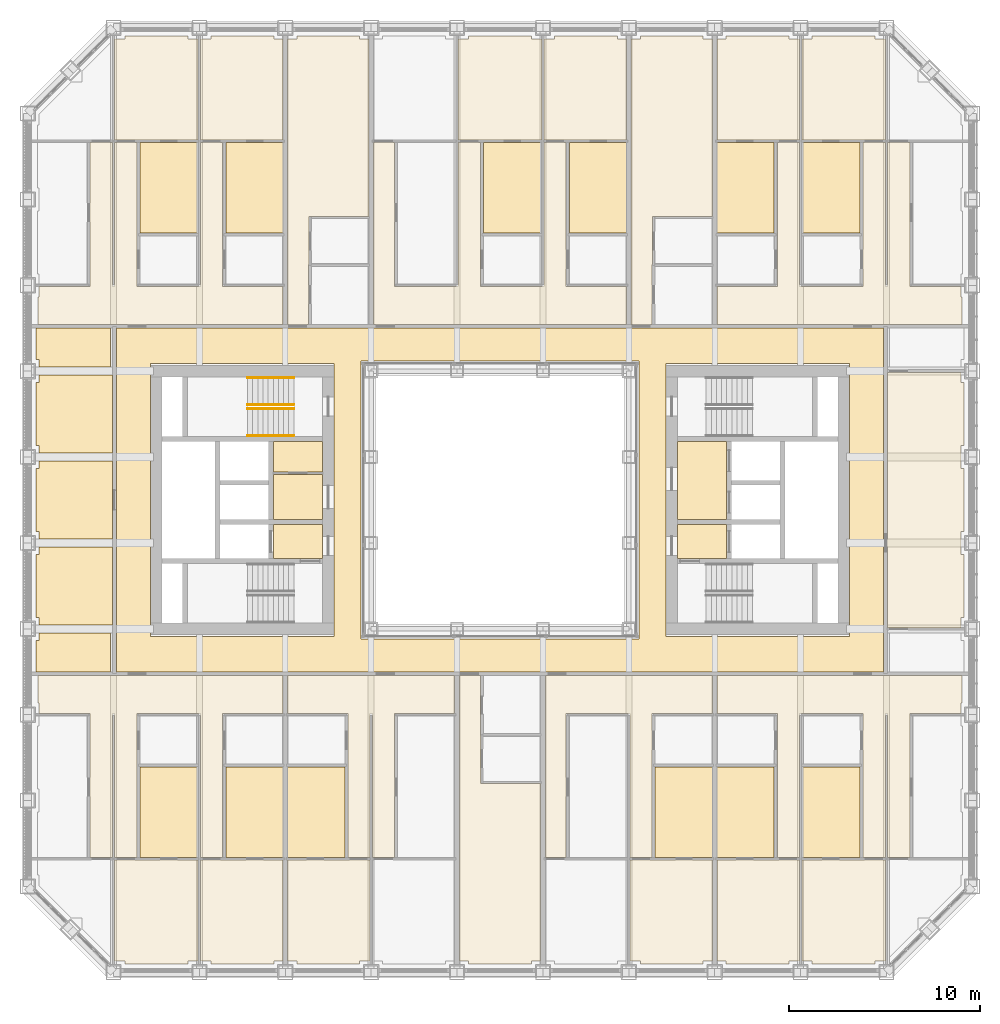
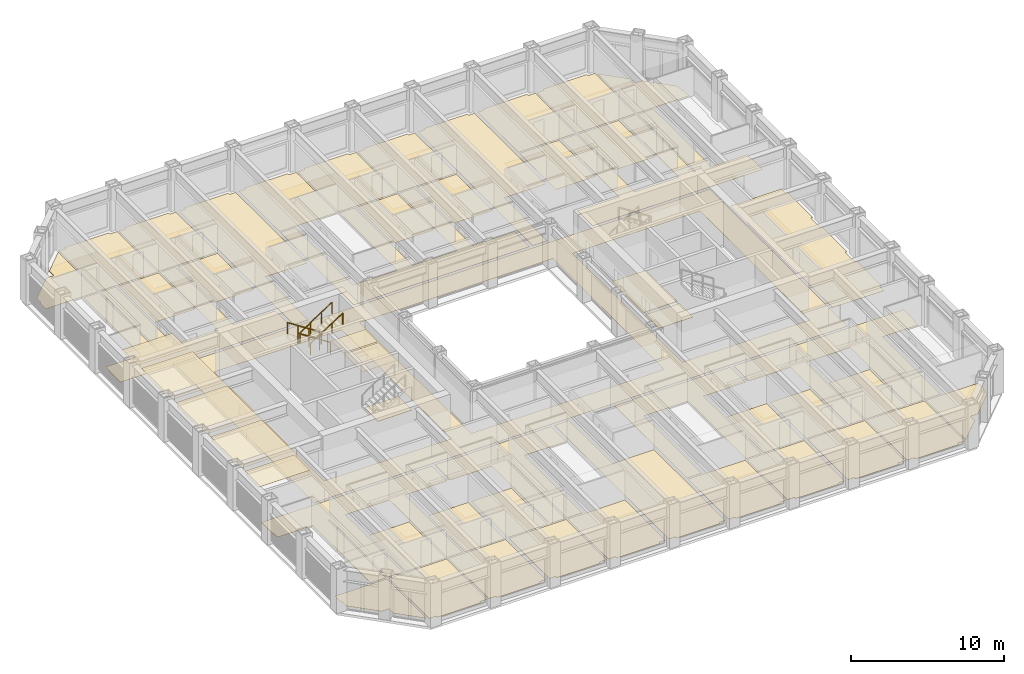
# One storey, part 17 of 20: 4 coverings, 4 railings.
"""IFC4 building model written with IfcOpenShell, lengths in metres."""

from ifc_helpers import new_model, si_unit, direction, frame, origin, origin_2d, place, context, subcontext, project, spatial, line, indexed_curve, circle, outline, extrude, material, layer, layer_set, type_object, element, save


model = new_model("IFC4")

# Units and contexts
model_context = context("Model", 3, precision=1e-05, world=origin(), true_north=direction((0.0, 1.0)))
body_context = subcontext(model_context, "Body", "Model", "MODEL_VIEW")
ifc_project = project(units=[si_unit("LENGTHUNIT", "METRE"), si_unit("AREAUNIT", "SQUARE_METRE"), si_unit("VOLUMEUNIT", "CUBIC_METRE"), si_unit("PLANEANGLEUNIT", "RADIAN"), si_unit("MASSUNIT", "GRAM", prefix="KILO")], contexts=[model_context])

# Site, building, storey
site_placement = place(None, origin())
site = spatial("IfcSite", under=ifc_project, at=site_placement, CompositionType="ELEMENT")
building_placement = place(site_placement, origin())
building = spatial("IfcBuilding", under=site, at=building_placement, Name="Msasa Ring Tower", CompositionType="ELEMENT")
storey_placement = place(building_placement, frame((0.0, 0.0, 61.5)))
storey = spatial("IfcBuildingStorey", under=building, at=storey_placement, Name="L15", CompositionType="ELEMENT", Elevation=61.5)

# Coverings
ifc_material_1 = material(Name="Mineral fibre ceiling tiles on an exposed steel grid", Category="steel")
ifc_layer_1 = layer(ifc_material_1, 0.02001953125)
ifc_layer_set_1 = layer_set([ifc_layer_1], Name="C3 ACOUSTIC MINERAL FIBRE TILE CEILING 20")
covering_type_1 = type_object("IfcCoveringType", Name="C3 ACOUSTIC MINERAL FIBRE TILE CEILING 20", PredefinedType="CEILING", material=ifc_layer_set_1)
covering_1_placement = place(storey_placement, frame((0.0, 0.0, 2.699951171875)))
element("IfcCovering", 1, at=covering_1_placement, inside=storey, type_object=covering_type_1, Name="Acoustic Mineral Fibre Tile Ceiling 20 L15", PredefinedType="CEILING", context=body_context, shape_type="SweptSolid", body=[
    extrude(outline(indexed_curve([(-24.299560546875, -8.99951171875), (-24.299560546875, -7.3505859375), (-24.1494140625, -7.3505859375), (-24.1494140625, -6.960693359375), (-20.404296875, -6.960693359375), (-20.404296875, -8.99951171875)], segments=[line(1, 2, 3, 4, 5, 6, 1)], self_intersect=False)), origin(), (0.0, 0.0, 1.0), 0.02001953125),
    extrude(outline(indexed_curve([(-24.299560546875, -2.8505859375), (-24.1494140625, -2.8505859375), (-24.1494140625, -2.460693359375), (-20.300537109375, -2.460693359375), (-20.300537109375, -6.539306640625), (-24.1494140625, -6.539306640625), (-24.1494140625, -6.1494140625), (-24.299560546875, -6.1494140625)], segments=[line(1, 2, 3, 4, 5, 6, 7, 8, 1)], self_intersect=False)), origin(), (0.0, 0.0, 1.0), 0.02001953125),
    extrude(outline(indexed_curve([(-24.299560546875, 1.6494140625), (-24.1494140625, 1.6494140625), (-24.1494140625, 2.039306640625), (-20.300537109375, 2.039306640625), (-20.300537109375, -2.039306640625), (-24.1494140625, -2.039306640625), (-24.1494140625, -1.6494140625), (-24.299560546875, -1.6494140625)], segments=[line(1, 2, 3, 4, 5, 6, 7, 8, 1)], self_intersect=False)), origin(), (0.0, 0.0, 1.0), 0.02001953125),
    extrude(outline(indexed_curve([(-24.299560546875, 6.1494140625), (-24.1494140625, 6.1494140625), (-24.1494140625, 6.539306640625), (-20.300537109375, 6.539306640625), (-20.300537109375, 2.460693359375), (-24.1494140625, 2.460693359375), (-24.1494140625, 2.8505859375), (-24.299560546875, 2.8505859375)], segments=[line(1, 2, 3, 4, 5, 6, 7, 8, 1)], self_intersect=False)), origin(), (0.0, 0.0, 1.0), 0.02001953125),
    extrude(outline(indexed_curve([(-24.299560546875, 8.99951171875), (-20.404296875, 8.99951171875), (-20.404296875, 6.960693359375), (-24.1494140625, 6.960693359375), (-24.1494140625, 7.3505859375), (-24.299560546875, 7.3505859375)], segments=[line(1, 2, 3, 4, 5, 6, 1)], self_intersect=False)), origin(), (0.0, 0.0, 1.0), 0.02001953125),
    extrude(outline(indexed_curve([(-9.300537109375, -1.0244140625), (-11.87451171875, -1.0244140625), (-11.87451171875, 1.344482421875), (-9.300537109375, 1.344482421875)], segments=[line(1, 2, 3, 4, 1)], self_intersect=False)), origin(), (0.0, 0.0, 1.0), 0.02001953125),
    extrude(outline(indexed_curve([(-9.300537109375, 1.45556640625), (-11.87451171875, 1.45556640625), (-11.87451171875, 3.074462890625), (-9.300537109375, 3.074462890625)], segments=[line(1, 2, 3, 4, 1)], self_intersect=False)), origin(), (0.0, 0.0, 1.0), 0.02001953125),
])
ifc_material_2 = material(Name="Honed granite tiles on a mortar bed", Category="masonry")
ifc_layer_2 = layer(ifc_material_2, 0.030029296875)
ifc_layer_set_2 = layer_set([ifc_layer_2], Name="F1 HONED GRANITE ON BEDDING 30")
covering_type_2 = type_object("IfcCoveringType", Name="F1 HONED GRANITE ON BEDDING 30", PredefinedType="FLOORING", material=ifc_layer_set_2)
covering_2_placement = place(storey_placement, origin())
element("IfcCovering", 2, at=covering_2_placement, inside=storey, type_object=covering_type_2, Name="Honed Granite On Bedding 30 L15", PredefinedType="FLOORING", context=body_context, shape_type="SweptSolid", body=[
    extrude(outline(indexed_curve([(-9.300537109375, -3.074462890625), (-11.87451171875, -3.074462890625), (-11.87451171875, -1.275390625), (-9.300537109375, -1.275390625)], segments=[line(1, 2, 3, 4, 1)], self_intersect=False)), origin(), (0.0, 0.0, 1.0), 0.030029296875),
    extrude(outline(indexed_curve([(9.300537109375, -3.074462890625), (9.300537109375, -1.275390625), (11.87451171875, -1.275390625), (11.87451171875, -3.074462890625)], segments=[line(1, 2, 3, 4, 1)], self_intersect=False)), origin(), (0.0, 0.0, 1.0), 0.030029296875),
    extrude(outline(indexed_curve([(9.300537109375, -1.0244140625), (9.300537109375, 3.074462890625), (11.87451171875, 3.074462890625), (11.87451171875, -1.0244140625)], segments=[line(1, 2, 3, 4, 1)], self_intersect=False)), origin(), (0.0, 0.0, 1.0), 0.030029296875),
])
ifc_material_3 = material(Name="Wool-blend carpet on felt underlay", Category="textile")
ifc_layer_3 = layer(ifc_material_3, 0.011962890625)
ifc_layer_set_3 = layer_set([ifc_layer_3], Name="F2 CARPET ON UNDERLAY 12")
covering_type_3 = type_object("IfcCoveringType", Name="F2 CARPET ON UNDERLAY 12", PredefinedType="FLOORING", material=ifc_layer_set_3)
covering_3_placement = place(storey_placement, origin())
element("IfcCovering", 3, at=covering_3_placement, inside=storey, type_object=covering_type_3, Name="Carpet On Underlay 12 L15", PredefinedType="FLOORING", context=body_context, shape_type="SweptSolid", body=[
    extrude(outline(indexed_curve([(-20.310546875, -24.052490234375), (-21.8994140625, -22.46337890625), (-21.8994140625, -21.8994140625), (-22.46337890625, -21.8994140625), (-24.1494140625, -20.21337890625), (-24.1494140625, -19.6494140625), (-24.239501953125, -19.6494140625), (-24.239501953125, -18.85546875), (-20.310546875, -18.85546875)], segments=[line(1, 2, 3, 4, 5, 6, 7, 8, 9, 1)], self_intersect=False)), origin(), (0.0, 0.0, 1.0), 0.011962890625),
    extrude(outline(indexed_curve([(-22.46337890625, 21.8994140625), (-21.8994140625, 21.8994140625), (-21.8994140625, 22.46337890625), (-20.310546875, 24.052490234375), (-20.310546875, 18.85546875), (-24.239501953125, 18.85546875), (-24.239501953125, 19.6494140625), (-24.1494140625, 19.6494140625), (-24.1494140625, 20.21337890625)], segments=[line(1, 2, 3, 4, 5, 6, 7, 8, 9, 1)], self_intersect=False)), origin(), (0.0, 0.0, 1.0), 0.011962890625),
    extrude(outline(indexed_curve([(-20.099609375, -8.99951171875), (-20.099609375, 8.99951171875), (20.099609375, 8.99951171875), (20.099609375, -8.99951171875)], segments=[line(1, 2, 3, 4, 1)], self_intersect=False), holes=[indexed_curve([(18.300537109375, -7.150390625), (18.300537109375, 7.150390625), (8.699462890625, 7.150390625), (8.699462890625, -7.150390625)], segments=[line(1, 2, 3, 4, 1)], self_intersect=False), indexed_curve([(-18.300537109375, 7.150390625), (-18.300537109375, -7.150390625), (-8.699462890625, -7.150390625), (-8.699462890625, 7.150390625)], segments=[line(1, 2, 3, 4, 1)], self_intersect=False), indexed_curve([(-7.275390625, 7.275390625), (-7.275390625, -7.275390625), (7.275390625, -7.275390625), (7.275390625, 7.275390625), (-7.22998046875, 7.280029296875)], segments=[line(1, 2, 3, 4, 5, 1)], self_intersect=False)]), origin(), (0.0, 0.0, 1.0), 0.011962890625),
    extrude(outline(indexed_curve([(-15.810546875, -13.98046875), (-15.810546875, -18.744384765625), (-18.869384765625, -18.744384765625), (-18.869384765625, -13.98046875)], segments=[line(1, 2, 3, 4, 1)], self_intersect=False)), origin(), (0.0, 0.0, 1.0), 0.011962890625),
    extrude(outline(indexed_curve([(-15.810546875, 18.744384765625), (-15.810546875, 13.98046875), (-18.869384765625, 13.98046875), (-18.869384765625, 18.744384765625)], segments=[line(1, 2, 3, 4, 1)], self_intersect=False)), origin(), (0.0, 0.0, 1.0), 0.011962890625),
    extrude(outline(indexed_curve([(-14.369384765625, -18.744384765625), (-14.369384765625, -13.98046875), (-11.37548828125, -13.98046875), (-11.37548828125, -18.744384765625)], segments=[line(1, 2, 3, 4, 1)], self_intersect=False)), origin(), (0.0, 0.0, 1.0), 0.011962890625),
    extrude(outline(indexed_curve([(-11.37548828125, 18.744384765625), (-11.37548828125, 13.98046875), (-14.369384765625, 13.98046875), (-14.369384765625, 18.744384765625)], segments=[line(1, 2, 3, 4, 1)], self_intersect=False)), origin(), (0.0, 0.0, 1.0), 0.011962890625),
    extrude(outline(indexed_curve([(-8.130615234375, -18.744384765625), (-11.12451171875, -18.744384765625), (-11.12451171875, -13.98046875), (-8.130615234375, -13.98046875)], segments=[line(1, 2, 3, 4, 1)], self_intersect=False)), origin(), (0.0, 0.0, 1.0), 0.011962890625),
    extrude(outline(indexed_curve([(-6.1494140625, -24.299560546875), (-6.1494140625, -24.1494140625), (-6.689453125, -24.1494140625), (-6.689453125, -18.85546875), (-2.37548828125, -18.85546875), (-2.37548828125, -24.1494140625), (-2.8505859375, -24.1494140625), (-2.8505859375, -24.299560546875)], segments=[line(1, 2, 3, 4, 5, 6, 7, 8, 1)], self_intersect=False)), origin(), (0.0, 0.0, 1.0), 0.011962890625),
    extrude(outline(indexed_curve([(-2.8505859375, 24.299560546875), (-2.8505859375, 24.1494140625), (-2.310546875, 24.1494140625), (-2.310546875, 18.85546875), (-6.62451171875, 18.85546875), (-6.62451171875, 24.1494140625), (-6.1494140625, 24.1494140625), (-6.1494140625, 24.299560546875)], segments=[line(1, 2, 3, 4, 5, 6, 7, 8, 1)], self_intersect=False)), origin(), (0.0, 0.0, 1.0), 0.011962890625),
    extrude(outline(indexed_curve([(2.189453125, 18.744384765625), (2.189453125, 13.98046875), (-0.869384765625, 13.98046875), (-0.869384765625, 18.744384765625)], segments=[line(1, 2, 3, 4, 1)], self_intersect=False)), origin(), (0.0, 0.0, 1.0), 0.011962890625),
    extrude(outline(indexed_curve([(6.689453125, -24.1494140625), (6.1494140625, -24.1494140625), (6.1494140625, -24.299560546875), (2.8505859375, -24.299560546875), (2.8505859375, -24.1494140625), (2.37548828125, -24.1494140625), (2.37548828125, -18.85546875), (6.689453125, -18.85546875)], segments=[line(1, 2, 3, 4, 5, 6, 7, 8, 1)], self_intersect=False)), origin(), (0.0, 0.0, 1.0), 0.011962890625),
    extrude(outline(indexed_curve([(6.62451171875, 18.744384765625), (6.62451171875, 13.98046875), (3.630615234375, 13.98046875), (3.630615234375, 18.744384765625)], segments=[line(1, 2, 3, 4, 1)], self_intersect=False)), origin(), (0.0, 0.0, 1.0), 0.011962890625),
    extrude(outline(indexed_curve([(11.12451171875, -13.98046875), (11.12451171875, -18.744384765625), (8.130615234375, -18.744384765625), (8.130615234375, -13.98046875)], segments=[line(1, 2, 3, 4, 1)], self_intersect=False)), origin(), (0.0, 0.0, 1.0), 0.011962890625),
    extrude(outline(indexed_curve([(14.369384765625, -18.744384765625), (11.37548828125, -18.744384765625), (11.37548828125, -13.98046875), (14.369384765625, -13.98046875)], segments=[line(1, 2, 3, 4, 1)], self_intersect=False)), origin(), (0.0, 0.0, 1.0), 0.011962890625),
    extrude(outline(indexed_curve([(14.369384765625, 18.744384765625), (14.369384765625, 13.98046875), (11.37548828125, 13.98046875), (11.37548828125, 18.744384765625)], segments=[line(1, 2, 3, 4, 1)], self_intersect=False)), origin(), (0.0, 0.0, 1.0), 0.011962890625),
    extrude(outline(indexed_curve([(18.869384765625, -18.744384765625), (15.810546875, -18.744384765625), (15.810546875, -13.98046875), (18.869384765625, -13.98046875)], segments=[line(1, 2, 3, 4, 1)], self_intersect=False)), origin(), (0.0, 0.0, 1.0), 0.011962890625),
    extrude(outline(indexed_curve([(18.869384765625, 13.98046875), (15.810546875, 13.98046875), (15.810546875, 18.744384765625), (18.869384765625, 18.744384765625)], segments=[line(1, 2, 3, 4, 1)], self_intersect=False)), origin(), (0.0, 0.0, 1.0), 0.011962890625),
    extrude(outline(indexed_curve([(24.239501953125, -19.6494140625), (24.1494140625, -19.6494140625), (24.1494140625, -20.21337890625), (22.46337890625, -21.8994140625), (21.8994140625, -21.8994140625), (21.8994140625, -22.46337890625), (20.310546875, -24.052490234375), (20.310546875, -18.85546875), (24.239501953125, -18.85546875)], segments=[line(1, 2, 3, 4, 5, 6, 7, 8, 9, 1)], self_intersect=False)), origin(), (0.0, 0.0, 1.0), 0.011962890625),
    extrude(outline(indexed_curve([(21.8994140625, 22.46337890625), (21.8994140625, 21.8994140625), (22.46337890625, 21.8994140625), (24.1494140625, 20.21337890625), (24.1494140625, 19.6494140625), (24.239501953125, 19.6494140625), (24.239501953125, 18.85546875), (20.310546875, 18.85546875), (20.310546875, 24.052490234375)], segments=[line(1, 2, 3, 4, 5, 6, 7, 8, 9, 1)], self_intersect=False)), origin(), (0.0, 0.0, 1.0), 0.011962890625),
])
ifc_material_4 = material(Name="Engineered oak boards on an acoustic underlay", Category="wood")
ifc_layer_4 = layer(ifc_material_4, 0.01806640625)
ifc_layer_set_4 = layer_set([ifc_layer_4], Name="F3 ENGINEERED TIMBER ON ACOUSTIC UNDERLAY 18")
covering_type_4 = type_object("IfcCoveringType", Name="F3 ENGINEERED TIMBER ON ACOUSTIC UNDERLAY 18", PredefinedType="FLOORING", material=ifc_layer_set_4)
covering_4_placement = place(storey_placement, origin())
element("IfcCovering", 4, at=covering_4_placement, inside=storey, type_object=covering_type_4, Name="Engineered Timber On Acoustic Underlay 18 L15", PredefinedType="FLOORING", context=body_context, shape_type="SweptSolid", body=[
    extrude(outline(indexed_curve([(-20.189453125, -18.744384765625), (-20.189453125, -11.199462890625), (-20.310546875, -11.199462890625), (-20.310546875, -18.744384765625), (-21.469482421875, -18.744384765625), (-21.469482421875, -11.199462890625), (-24.1494140625, -11.199462890625), (-24.1494140625, -10.6494140625), (-24.199462890625, -10.6494140625), (-24.199462890625, -9.200439453125), (-11.37548828125, -9.200439453125), (-11.37548828125, -11.199462890625), (-14.530517578125, -11.199462890625), (-14.530517578125, -18.744384765625), (-15.689453125, -18.744384765625), (-15.689453125, -11.199462890625), (-19.030517578125, -11.199462890625), (-19.030517578125, -18.744384765625)], segments=[line(1, 2, 3, 4, 5, 6, 7, 8, 9, 10, 11, 12, 13, 14, 15, 16, 17, 18, 1)], self_intersect=False)), origin(), (0.0, 0.0, 1.0), 0.01806640625),
    extrude(outline(indexed_curve([(-19.030517578125, 18.744384765625), (-19.030517578125, 11.199462890625), (-15.689453125, 11.199462890625), (-15.689453125, 18.744384765625), (-14.530517578125, 18.744384765625), (-14.530517578125, 11.199462890625), (-11.37548828125, 11.199462890625), (-11.37548828125, 9.200439453125), (-24.199462890625, 9.200439453125), (-24.199462890625, 10.6494140625), (-24.1494140625, 10.6494140625), (-24.1494140625, 11.199462890625), (-21.469482421875, 11.199462890625), (-21.469482421875, 18.744384765625), (-20.310546875, 18.744384765625), (-20.310546875, 11.199462890625), (-20.189453125, 11.199462890625), (-20.189453125, 18.744384765625)], segments=[line(1, 2, 3, 4, 5, 6, 7, 8, 9, 10, 11, 12, 13, 14, 15, 16, 17, 18, 1)], self_intersect=False)), origin(), (0.0, 0.0, 1.0), 0.01806640625),
    extrude(outline(indexed_curve([(-15.810546875, -18.85546875), (-15.810546875, -24.1494140625), (-16.3505859375, -24.1494140625), (-16.3505859375, -24.299560546875), (-19.6494140625, -24.299560546875), (-19.6494140625, -24.1494140625), (-20.189453125, -24.1494140625), (-20.189453125, -18.85546875)], segments=[line(1, 2, 3, 4, 5, 6, 7, 8, 1)], self_intersect=False)), origin(), (0.0, 0.0, 1.0), 0.01806640625),
    extrude(outline(indexed_curve([(-20.189453125, 24.1494140625), (-19.6494140625, 24.1494140625), (-19.6494140625, 24.299560546875), (-16.3505859375, 24.299560546875), (-16.3505859375, 24.1494140625), (-15.810546875, 24.1494140625), (-15.810546875, 18.85546875), (-20.189453125, 18.85546875)], segments=[line(1, 2, 3, 4, 5, 6, 7, 8, 1)], self_intersect=False)), origin(), (0.0, 0.0, 1.0), 0.01806640625),
    extrude(outline(indexed_curve([(-15.1494140625, -24.299560546875), (-15.1494140625, -24.1494140625), (-15.689453125, -24.1494140625), (-15.689453125, -18.85546875), (-11.37548828125, -18.85546875), (-11.37548828125, -24.1494140625), (-11.8505859375, -24.1494140625), (-11.8505859375, -24.299560546875)], segments=[line(1, 2, 3, 4, 5, 6, 7, 8, 1)], self_intersect=False)), origin(), (0.0, 0.0, 1.0), 0.01806640625),
    extrude(outline(indexed_curve([(-11.8505859375, 24.299560546875), (-11.8505859375, 24.1494140625), (-11.37548828125, 24.1494140625), (-11.37548828125, 18.85546875), (-15.689453125, 18.85546875), (-15.689453125, 24.1494140625), (-15.1494140625, 24.1494140625), (-15.1494140625, 24.299560546875)], segments=[line(1, 2, 3, 4, 5, 6, 7, 8, 1)], self_intersect=False)), origin(), (0.0, 0.0, 1.0), 0.01806640625),
    extrude(outline(indexed_curve([(-6.810546875, -24.1494140625), (-7.3505859375, -24.1494140625), (-7.3505859375, -24.299560546875), (-10.6494140625, -24.299560546875), (-10.6494140625, -24.1494140625), (-11.12451171875, -24.1494140625), (-11.12451171875, -18.85546875), (-6.810546875, -18.85546875)], segments=[line(1, 2, 3, 4, 5, 6, 7, 8, 1)], self_intersect=False)), origin(), (0.0, 0.0, 1.0), 0.01806640625),
    extrude(outline(indexed_curve([(-6.810546875, -11.199462890625), (-6.810546875, -18.744384765625), (-7.969482421875, -18.744384765625), (-7.969482421875, -11.199462890625), (-11.12451171875, -11.199462890625), (-11.12451171875, -9.200439453125), (-2.37548828125, -9.200439453125), (-2.37548828125, -11.199462890625), (-5.530517578125, -11.199462890625), (-5.530517578125, -18.744384765625), (-6.689453125, -18.744384765625), (-6.689453125, -11.199462890625)], segments=[line(1, 2, 3, 4, 5, 6, 7, 8, 9, 10, 11, 12, 1)], self_intersect=False)), origin(), (0.0, 0.0, 1.0), 0.01806640625),
    extrude(outline(indexed_curve([(-7.3505859375, 24.299560546875), (-7.3505859375, 24.1494140625), (-6.87548828125, 24.1494140625), (-6.87548828125, 14.8505859375), (-10.00048828125, 14.8505859375), (-10.00048828125, 12.35009765625), (-10.025390625, 12.35009765625), (-10.025390625, 9.200439453125), (-11.12451171875, 9.200439453125), (-11.12451171875, 24.1494140625), (-10.6494140625, 24.1494140625), (-10.6494140625, 24.299560546875)], segments=[line(1, 2, 3, 4, 5, 6, 7, 8, 9, 10, 11, 12, 1)], self_intersect=False)), origin(), (0.0, 0.0, 1.0), 0.01806640625),
    extrude(outline(indexed_curve([(-1.030517578125, 18.744384765625), (-1.030517578125, 11.199462890625), (2.310546875, 11.199462890625), (2.310546875, 18.744384765625), (3.469482421875, 18.744384765625), (3.469482421875, 11.199462890625), (6.62451171875, 11.199462890625), (6.62451171875, 9.200439453125), (-6.62451171875, 9.200439453125), (-6.62451171875, 18.744384765625), (-5.530517578125, 18.744384765625), (-5.530517578125, 11.199462890625), (-2.189453125, 11.199462890625), (-2.189453125, 18.744384765625)], segments=[line(1, 2, 3, 4, 5, 6, 7, 8, 9, 10, 11, 12, 13, 14, 1)], self_intersect=False)), origin(), (0.0, 0.0, 1.0), 0.01806640625),
    extrude(outline(indexed_curve([(-2.189453125, 24.1494140625), (-1.6494140625, 24.1494140625), (-1.6494140625, 24.299560546875), (1.6494140625, 24.299560546875), (1.6494140625, 24.1494140625), (2.189453125, 24.1494140625), (2.189453125, 18.85546875), (-2.189453125, 18.85546875)], segments=[line(1, 2, 3, 4, 5, 6, 7, 8, 1)], self_intersect=False)), origin(), (0.0, 0.0, 1.0), 0.01806640625),
    extrude(outline(indexed_curve([(-1.025390625, -9.200439453125), (-1.025390625, -12.35009765625), (-1.00048828125, -12.35009765625), (-1.00048828125, -14.8505859375), (2.12451171875, -14.8505859375), (2.12451171875, -24.1494140625), (1.6494140625, -24.1494140625), (1.6494140625, -24.299560546875), (-1.6494140625, -24.299560546875), (-1.6494140625, -24.1494140625), (-2.12451171875, -24.1494140625), (-2.12451171875, -9.200439453125)], segments=[line(1, 2, 3, 4, 5, 6, 7, 8, 9, 10, 11, 12, 1)], self_intersect=False)), origin(), (0.0, 0.0, 1.0), 0.01806640625),
    extrude(outline(indexed_curve([(2.310546875, 24.1494140625), (2.8505859375, 24.1494140625), (2.8505859375, 24.299560546875), (6.1494140625, 24.299560546875), (6.1494140625, 24.1494140625), (6.62451171875, 24.1494140625), (6.62451171875, 18.85546875), (2.310546875, 18.85546875)], segments=[line(1, 2, 3, 4, 5, 6, 7, 8, 1)], self_intersect=False)), origin(), (0.0, 0.0, 1.0), 0.01806640625),
    extrude(outline(indexed_curve([(2.37548828125, -18.744384765625), (2.37548828125, -9.200439453125), (11.12451171875, -9.200439453125), (11.12451171875, -11.199462890625), (7.969482421875, -11.199462890625), (7.969482421875, -18.744384765625), (6.810546875, -18.744384765625), (6.810546875, -11.199462890625), (3.469482421875, -11.199462890625), (3.469482421875, -18.744384765625)], segments=[line(1, 2, 3, 4, 5, 6, 7, 8, 9, 10, 1)], self_intersect=False)), origin(), (0.0, 0.0, 1.0), 0.01806640625),
    extrude(outline(indexed_curve([(7.3505859375, -24.299560546875), (7.3505859375, -24.1494140625), (6.810546875, -24.1494140625), (6.810546875, -18.85546875), (11.12451171875, -18.85546875), (11.12451171875, -24.1494140625), (10.6494140625, -24.1494140625), (10.6494140625, -24.299560546875)], segments=[line(1, 2, 3, 4, 5, 6, 7, 8, 1)], self_intersect=False)), origin(), (0.0, 0.0, 1.0), 0.01806640625),
    extrude(outline(indexed_curve([(10.6494140625, 24.299560546875), (10.6494140625, 24.1494140625), (11.12451171875, 24.1494140625), (11.12451171875, 14.8505859375), (7.99951171875, 14.8505859375), (7.99951171875, 12.35009765625), (7.974609375, 12.35009765625), (7.974609375, 9.200439453125), (6.87548828125, 9.200439453125), (6.87548828125, 24.1494140625), (7.3505859375, 24.1494140625), (7.3505859375, 24.299560546875)], segments=[line(1, 2, 3, 4, 5, 6, 7, 8, 9, 10, 11, 12, 1)], self_intersect=False)), origin(), (0.0, 0.0, 1.0), 0.01806640625),
    extrude(outline(indexed_curve([(11.8505859375, -24.299560546875), (11.8505859375, -24.1494140625), (11.37548828125, -24.1494140625), (11.37548828125, -18.85546875), (15.689453125, -18.85546875), (15.689453125, -24.1494140625), (15.1494140625, -24.1494140625), (15.1494140625, -24.299560546875)], segments=[line(1, 2, 3, 4, 5, 6, 7, 8, 1)], self_intersect=False)), origin(), (0.0, 0.0, 1.0), 0.01806640625),
    extrude(outline(indexed_curve([(19.030517578125, -18.744384765625), (19.030517578125, -11.199462890625), (15.689453125, -11.199462890625), (15.689453125, -18.744384765625), (14.530517578125, -18.744384765625), (14.530517578125, -11.199462890625), (11.37548828125, -11.199462890625), (11.37548828125, -9.200439453125), (24.199462890625, -9.200439453125), (24.199462890625, -10.6494140625), (24.1494140625, -10.6494140625), (24.1494140625, -11.199462890625), (21.469482421875, -11.199462890625), (21.469482421875, -18.744384765625), (20.310546875, -18.744384765625), (20.310546875, -11.199462890625), (20.189453125, -11.199462890625), (20.189453125, -18.744384765625)], segments=[line(1, 2, 3, 4, 5, 6, 7, 8, 9, 10, 11, 12, 13, 14, 15, 16, 17, 18, 1)], self_intersect=False)), origin(), (0.0, 0.0, 1.0), 0.01806640625),
    extrude(outline(indexed_curve([(20.189453125, 18.744384765625), (20.189453125, 11.199462890625), (20.310546875, 11.199462890625), (20.310546875, 18.744384765625), (21.469482421875, 18.744384765625), (21.469482421875, 11.199462890625), (24.1494140625, 11.199462890625), (24.1494140625, 10.6494140625), (24.199462890625, 10.6494140625), (24.199462890625, 9.200439453125), (11.37548828125, 9.200439453125), (11.37548828125, 11.199462890625), (14.530517578125, 11.199462890625), (14.530517578125, 18.744384765625), (15.689453125, 18.744384765625), (15.689453125, 11.199462890625), (19.030517578125, 11.199462890625), (19.030517578125, 18.744384765625)], segments=[line(1, 2, 3, 4, 5, 6, 7, 8, 9, 10, 11, 12, 13, 14, 15, 16, 17, 18, 1)], self_intersect=False)), origin(), (0.0, 0.0, 1.0), 0.01806640625),
    extrude(outline(indexed_curve([(15.1494140625, 24.299560546875), (15.1494140625, 24.1494140625), (15.689453125, 24.1494140625), (15.689453125, 18.85546875), (11.37548828125, 18.85546875), (11.37548828125, 24.1494140625), (11.8505859375, 24.1494140625), (11.8505859375, 24.299560546875)], segments=[line(1, 2, 3, 4, 5, 6, 7, 8, 1)], self_intersect=False)), origin(), (0.0, 0.0, 1.0), 0.01806640625),
    extrude(outline(indexed_curve([(20.189453125, -18.85546875), (20.189453125, -24.1494140625), (19.6494140625, -24.1494140625), (19.6494140625, -24.299560546875), (16.3505859375, -24.299560546875), (16.3505859375, -24.1494140625), (15.810546875, -24.1494140625), (15.810546875, -18.85546875)], segments=[line(1, 2, 3, 4, 5, 6, 7, 8, 1)], self_intersect=False)), origin(), (0.0, 0.0, 1.0), 0.01806640625),
    extrude(outline(indexed_curve([(15.810546875, 24.1494140625), (16.3505859375, 24.1494140625), (16.3505859375, 24.299560546875), (19.6494140625, 24.299560546875), (19.6494140625, 24.1494140625), (20.189453125, 24.1494140625), (20.189453125, 18.85546875), (15.810546875, 18.85546875)], segments=[line(1, 2, 3, 4, 5, 6, 7, 8, 1)], self_intersect=False)), origin(), (0.0, 0.0, 1.0), 0.01806640625),
    extrude(outline(indexed_curve([(20.300537109375, 6.66943359375), (24.1494140625, 6.66943359375), (24.1494140625, 6.1494140625), (24.299560546875, 6.1494140625), (24.299560546875, 2.8505859375), (24.1494140625, 2.8505859375), (24.1494140625, 1.6494140625), (24.299560546875, 1.6494140625), (24.299560546875, -1.6494140625), (24.1494140625, -1.6494140625), (24.1494140625, -2.8505859375), (24.299560546875, -2.8505859375), (24.299560546875, -6.1494140625), (24.1494140625, -6.1494140625), (24.1494140625, -6.694580078125), (20.300537109375, -6.694580078125)], segments=[line(1, 2, 3, 4, 5, 6, 7, 8, 9, 10, 11, 12, 13, 14, 15, 16, 1)], self_intersect=False)), origin(), (0.0, 0.0, 1.0), 0.01806640625),
])

# Railings
ifc_material_5 = material(Name="Stainless steel", Category="steel")
railing_type = type_object("IfcRailingType", Name="HR1 HANDRAIL 900", PredefinedType="HANDRAIL", material=ifc_material_5)
for number, where, name in (
    (5, (-10.800048828125, 5.0, 0.175048828125), "Handrail stair SWB L15 1"),
    (6, (-10.800048828125, 6.39990234375, 0.175048828125), "Handrail stair SWB L15 2"),
):
    element("IfcRailing", number, at=place(storey_placement, frame(where)), inside=storey, type_object=railing_type, Name=name, PredefinedType="HANDRAIL", context=body_context, shape_type="SweptSolid", body=[
        extrude(circle(Radius=0.02392578125, at=origin_2d()), frame((0.0, 0.0, 0.8759765625), z_axis=(-0.839153699163, 0.0, 0.543894354798), x_axis=(0.0, -1.0, 0.0)), (0.0, 0.0, 1.0), 2.895751953125),
        extrude(circle(Radius=0.02099609375, at=origin_2d()), origin(), (0.0, 0.0, 1.0), 0.851806640625),
        extrude(circle(Radius=0.02099609375, at=origin_2d()), frame((-0.81005859375, 0.0, 0.52490234375)), (0.0, 0.0, 1.0), 0.851806640625),
        extrude(circle(Radius=0.02099609375, at=origin_2d()), frame((-1.619873046875, 0.0, 1.050048828125)), (0.0, 0.0, 1.0), 0.851806640625),
        extrude(circle(Radius=0.02099609375, at=origin_2d()), frame((-2.429931640625, 0.0, 1.574951171875)), (0.0, 0.0, 1.0), 0.851806640625),
    ])
for number, where, name in (
    (7, (-13.22998046875, 3.375, 1.925048828125), "Handrail stair SWB L15 3"),
    (8, (-13.22998046875, 4.77490234375, 1.925048828125), "Handrail stair SWB L15 4"),
):
    element("IfcRailing", number, at=place(storey_placement, frame(where)), inside=storey, type_object=railing_type, Name=name, PredefinedType="HANDRAIL", context=body_context, shape_type="SweptSolid", body=[
        extrude(circle(Radius=0.02392578125, at=origin_2d()), frame((0.0, 0.0, 0.8759765625), z_axis=(0.839153699163, 0.0, 0.543894354798), x_axis=(0.0, 1.0, 0.0)), (0.0, 0.0, 1.0), 2.895751953125),
        extrude(circle(Radius=0.02099609375, at=origin_2d()), origin(), (0.0, 0.0, 1.0), 0.851806640625),
        extrude(circle(Radius=0.02099609375, at=origin_2d()), frame((0.81005859375, 0.0, 0.52490234375)), (0.0, 0.0, 1.0), 0.851806640625),
        extrude(circle(Radius=0.02099609375, at=origin_2d()), frame((1.619873046875, 0.0, 1.050048828125)), (0.0, 0.0, 1.0), 0.851806640625),
        extrude(circle(Radius=0.02099609375, at=origin_2d()), frame((2.429931640625, 0.0, 1.574951171875)), (0.0, 0.0, 1.0), 0.851806640625),
    ])

save(model, "model.ifc")
